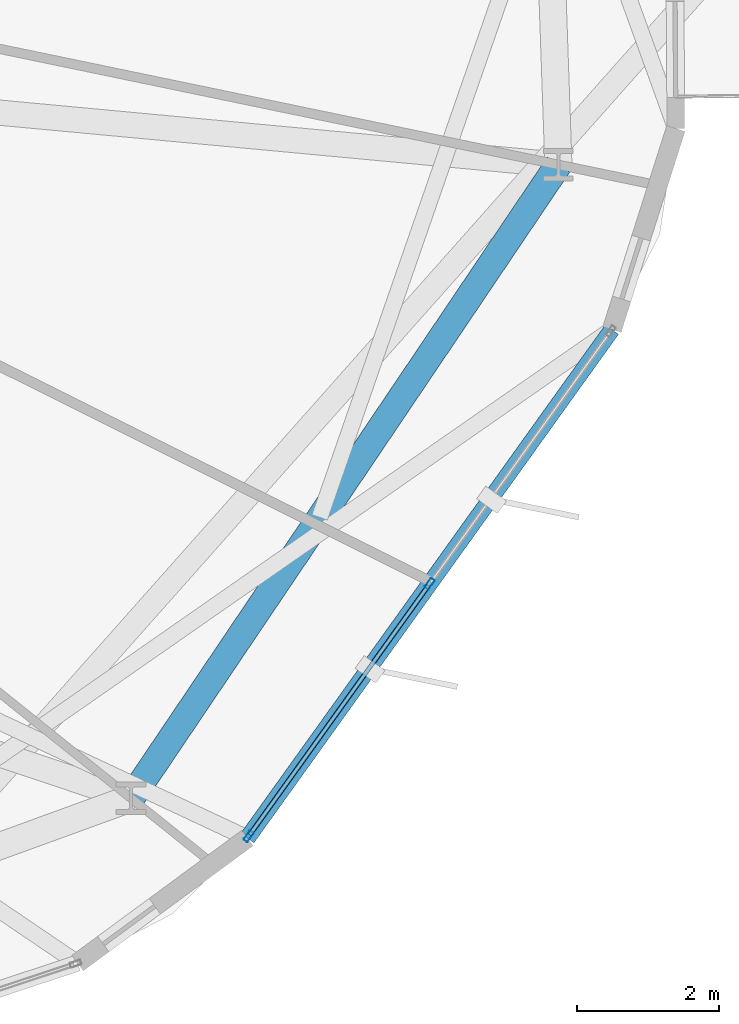
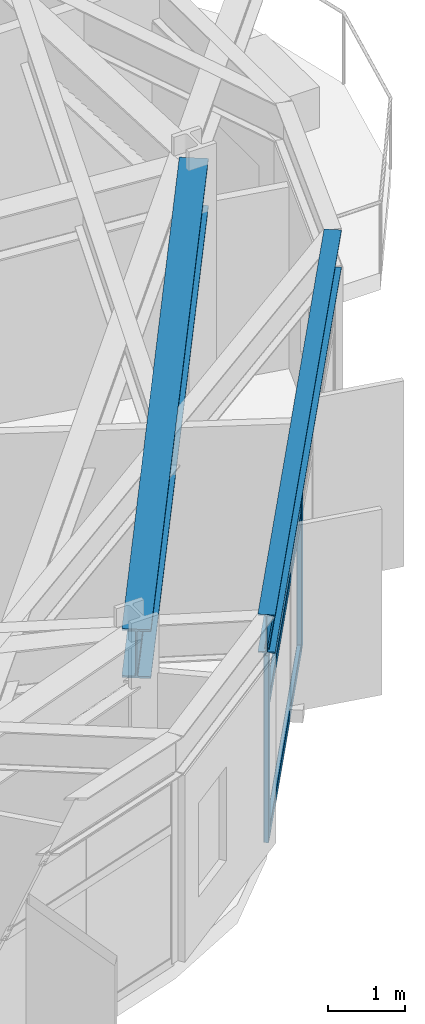
# One storey, part 12 of 27: 5 members, 2 beams, 1 element without a shape of its own.
"""IFC4 building model written with IfcOpenShell, lengths in metres."""

import ifcopenshell
import ifcopenshell.guid

model = None  # the IFC model being written
_history = None  # IfcOwnerHistory: only IFC2X3 demands one
_inside = {}  # id of a spatial element -> (the spatial element, [elements in it])
_under = {}  # id of a project, library or spatial element -> (it, [spatial elements below it])
_declared = {}  # id of a project -> (the project, [libraries it declares])
_typed = {}  # id of a type object -> (the type object, [elements of that type])
_made_of = {}  # id of a material, layer set ... -> (it, [elements and type objects made of it])


def new_model(schema):
    """Start an empty IFC model of exactly this schema.

    Asked for "IFC4X3", IfcOpenShell would pick the latest addendum, in which some entities
    have other attributes; the version numbers below select the first issue.
    IFC2X3 requires an IfcOwnerHistory on every rooted entity: one is made here for all.
    """
    global model, _history
    if schema == "IFC4X3":
        model = ifcopenshell.file(schema_version=(4, 3, 0, 0))
    else:
        model = ifcopenshell.file(schema=schema)
    _inside.clear()
    _under.clear()
    _declared.clear()
    _typed.clear()
    _made_of.clear()
    _history = None
    if model.schema == "IFC2X3":
        org = make("IfcOrganization", Name="unknown")
        user = make(
            "IfcPersonAndOrganization",
            ThePerson=make("IfcPerson", FamilyName="unknown"),
            TheOrganization=org,
        )
        app = make(
            "IfcApplication",
            ApplicationDeveloper=org,
            Version="unknown",
            ApplicationFullName="unknown",
            ApplicationIdentifier="unknown",
        )
        _history = make(
            "IfcOwnerHistory",
            OwningUser=user,
            OwningApplication=app,
            ChangeAction="ADDED",
            CreationDate=0,
        )
    return model


def make(cls, **values):
    """One entity of the class cls with the attributes given. An attribute that is None is left unset."""
    return model.create_entity(
        cls, **{name: value for name, value in values.items() if value is not None}
    )


def rooted(cls, **values):
    """An entity with a GlobalId (a new one), such as an element, a storey or a relation."""
    return make(cls, GlobalId=ifcopenshell.guid.new(), OwnerHistory=_history, **values)


def si_unit(unit_type, name, prefix=None):
    """IfcSIUnit, for example si_unit("LENGTHUNIT", "METRE", prefix="MILLI")."""
    return make("IfcSIUnit", UnitType=unit_type, Prefix=prefix, Name=name)


def assignment(units):
    """IfcUnitAssignment: the units of a project."""
    return None if units is None else make("IfcUnitAssignment", Units=units)


def point(xyz):
    """IfcCartesianPoint."""
    return None if xyz is None else make("IfcCartesianPoint", Coordinates=xyz)


def direction(xyz):
    """IfcDirection."""
    return None if xyz is None else make("IfcDirection", DirectionRatios=xyz)


def frame(location, z_axis=None, x_axis=None):
    """IfcAxis2Placement3D, a coordinate frame: its origin and axes. An axis left out is left unset."""
    return make(
        "IfcAxis2Placement3D",
        Location=point(location),
        Axis=direction(z_axis),
        RefDirection=direction(x_axis),
    )


def frame_2d(location, x_axis=None):
    """IfcAxis2Placement2D, a coordinate frame in the plane: its origin and x axis."""
    return make(
        "IfcAxis2Placement2D", Location=point(location), RefDirection=direction(x_axis)
    )


def origin():
    """The frame at (0, 0, 0) with its axes left unset."""
    return frame((0.0, 0.0, 0.0))


def origin_2d():
    """The frame at (0, 0) in the plane with its x axis left unset."""
    return frame_2d((0.0, 0.0))


def place(relative_to, where):
    """IfcLocalPlacement: puts the frame where relative to a parent placement (None: the world)."""
    return make(
        "IfcLocalPlacement", PlacementRelTo=relative_to, RelativePlacement=where
    )


def context(
    kind, dimensions, precision=None, world=None, true_north=None, identifier=None
):
    """IfcGeometricRepresentationContext, for example the 3D "Model" context."""
    return make(
        "IfcGeometricRepresentationContext",
        ContextIdentifier=identifier,
        ContextType=kind,
        CoordinateSpaceDimension=dimensions,
        Precision=precision,
        WorldCoordinateSystem=world,
        TrueNorth=true_north,
    )


def subcontext(parent, identifier, kind, view, scale=None):
    """IfcGeometricRepresentationSubContext, for example "Body" below "Model"."""
    return make(
        "IfcGeometricRepresentationSubContext",
        ContextIdentifier=identifier,
        ContextType=kind,
        ParentContext=parent,
        TargetScale=scale,
        TargetView=view,
    )


def project(units=None, contexts=None):
    """IfcProject with its units and contexts."""
    return rooted(
        "IfcProject",
        Name="project",
        RepresentationContexts=contexts,
        UnitsInContext=assignment(units),
    )


def spatial(cls, under=None, at=None, **own):
    """A site, building, storey or space (cls), placed at a placement, below another one or the project."""
    s = rooted(cls, ObjectPlacement=at, **own)
    if under is not None:
        _under.setdefault(under.id(), (under, []))[1].append(s)
    return s


def profile(cls, at=None, kind="AREA", **sizes):
    """A parametric profile (cls). Its sizes go by their IFC names, for example OverallWidth=200.0."""
    return make(cls, ProfileType=kind, Position=at, **sizes)


def hollow_rectangle(**sizes):
    """IfcRectangleHollowProfileDef."""
    return profile("IfcRectangleHollowProfileDef", **sizes)


def i_section(**sizes):
    """IfcIShapeProfileDef."""
    return profile("IfcIShapeProfileDef", **sizes)


def extrude(swept, where, along, depth):
    """IfcExtrudedAreaSolid: the profile swept, set in the frame where, extruded along a direction by depth."""
    return make(
        "IfcExtrudedAreaSolid",
        SweptArea=swept,
        Position=where,
        ExtrudedDirection=direction(along),
        Depth=depth,
    )


def shape(context_of_items, identifier, shape_type, items):
    """IfcShapeRepresentation: the items that make up one representation, for example the "Body"."""
    return make(
        "IfcShapeRepresentation",
        ContextOfItems=context_of_items,
        RepresentationIdentifier=identifier,
        RepresentationType=shape_type,
        Items=items,
    )


def material(Name=None, Category=None):
    """IfcMaterial."""
    return make("IfcMaterial", Name=Name, Category=Category)


def layer(
    of_material, thickness, ventilated=None, Name=None, Category=None, Priority=None
):
    """IfcMaterialLayer: one layer of a wall or slab, of a material (None: an air gap)."""
    return make(
        "IfcMaterialLayer",
        Material=of_material,
        LayerThickness=thickness,
        IsVentilated=ventilated,
        Name=Name,
        Category=Category,
        Priority=Priority,
    )


def layer_set(layers, Name=None):
    """IfcMaterialLayerSet."""
    return make("IfcMaterialLayerSet", MaterialLayers=layers, LayerSetName=Name)


def material_profile(
    of_material, cross_section, Name=None, Category=None, Priority=None
):
    """IfcMaterialProfile: a cross section and its material."""
    return make(
        "IfcMaterialProfile",
        Name=Name,
        Material=of_material,
        Profile=cross_section,
        Priority=Priority,
        Category=Category,
    )


def profile_set(profiles, Name=None, composite=None):
    """IfcMaterialProfileSet."""
    return make(
        "IfcMaterialProfileSet",
        Name=Name,
        MaterialProfiles=profiles,
        CompositeProfile=composite,
    )


def made_of(thing, what):
    """Note that an element or type object is made of a material, layer set ...; save() writes the relation."""
    if what is not None:
        _made_of.setdefault(what.id(), (what, []))[1].append(thing)
    return thing


def type_object(cls, material=None, **own):
    """A type object (cls), such as IfcWallType, which elements share."""
    return made_of(rooted(cls, **own), material)


def element(
    cls,
    number,
    at=None,
    inside=None,
    cuts=None,
    type_object=None,
    material=None,
    context=None,
    identifier="Body",
    shape_type=None,
    held_by="IfcProductDefinitionShape",
    body=None,
    shapes=None,
    **own,
):
    """One element of the class cls, such as IfcWall. Its Tag is "e" and its number.

    at: its placement. inside: the storey or other place that contains it. cuts: it is an
    opening in that element (IfcRelVoidsElement). A single representation is given by context,
    identifier, shape_type and body (its items); several are given by shapes. held_by: the class
    of the entity that holds the representations. save() writes the other relations.
    """
    e = rooted(cls, Tag="e%d" % number, ObjectPlacement=at, **own)
    if body is not None:
        shapes = [shape(context, identifier, shape_type, body)]
    if shapes is not None:
        e.Representation = make(held_by, Representations=shapes)
    if inside is not None:
        _inside.setdefault(inside.id(), (inside, []))[1].append(e)
    if cuts is not None:
        rooted(
            "IfcRelVoidsElement", RelatingBuildingElement=cuts, RelatedOpeningElement=e
        )
    if type_object is not None:
        _typed.setdefault(type_object.id(), (type_object, []))[1].append(e)
    return made_of(e, material)


def aggregate(whole, parts):
    """IfcRelAggregates: a whole, such as a stair, and the parts it consists of."""
    return rooted("IfcRelAggregates", RelatingObject=whole, RelatedObjects=parts)


def save(model, path):
    """Write the relations noted so far, then the file.

    IfcRelAggregates (storeys below a building ...), IfcRelContainedInSpatialStructure (elements
    in a storey), IfcRelDefinesByType, IfcRelAssociatesMaterial and IfcRelDeclares: one each for
    every whole, place, type object, material and project.
    """
    for whole, parts in _under.values():
        aggregate(whole, parts)
    for where, things in _inside.values():
        rooted(
            "IfcRelContainedInSpatialStructure",
            RelatedElements=things,
            RelatingStructure=where,
        )
    for kind, things in _typed.values():
        rooted("IfcRelDefinesByType", RelatedObjects=things, RelatingType=kind)
    for what, things in _made_of.values():
        rooted("IfcRelAssociatesMaterial", RelatedObjects=things, RelatingMaterial=what)
    for by, libraries in _declared.values():
        rooted("IfcRelDeclares", RelatingContext=by, RelatedDefinitions=libraries)
    model.write(path)


model = new_model("IFC4")

# Units and contexts
model_context = context("Model", 3, precision=1e-05, world=origin(), true_north=direction((0.0, 1.0)))
body_context = subcontext(model_context, "Body", "Model", "MODEL_VIEW")
ifc_project = project(units=[si_unit("LENGTHUNIT", "METRE"), si_unit("AREAUNIT", "SQUARE_METRE"), si_unit("VOLUMEUNIT", "CUBIC_METRE"), si_unit("PLANEANGLEUNIT", "RADIAN"), si_unit("MASSUNIT", "GRAM", prefix="KILO")], contexts=[model_context])

# Site, building, storey
site_placement = place(None, origin())
site = spatial("IfcSite", under=ifc_project, at=site_placement, CompositionType="ELEMENT")
building_placement = place(site_placement, origin())
building = spatial("IfcBuilding", under=site, at=building_placement, Name="Soratama Intermodal Tower", CompositionType="ELEMENT")
storey_placement = place(building_placement, frame((0.0, 0.0, 99.10009765625)))
storey = spatial("IfcBuildingStorey", under=building, at=storey_placement, Name="L23", CompositionType="ELEMENT", Elevation=99.10009765625)

# Beams
ifc_material_1 = material(Name="Structural steel ASTM A992 Grade 50", Category="steel")
ifc_material_profile_1 = material_profile(ifc_material_1, i_section(OverallWidth=0.382080078125, OverallDepth=0.779052734375, WebThickness=0.01806640625, FlangeThickness=0.030029296875, FilletRadius=0.01806640625, at=origin_2d()), Name="W30X191")
ifc_profile_set_1 = profile_set([ifc_material_profile_1], Name="Structural steel ASTM A992 Grade 50")
beam_type_1 = type_object("IfcBeamType", Name="BM-RING-W30X191", PredefinedType="BEAM", material=ifc_profile_set_1)
beam_1_placement = place(storey_placement, frame((55.7119140625, 11.2890625, 3.21044921875), z_axis=(0.559249807749, 0.828999187293, 0.0), x_axis=(-0.828999187293, 0.559249807749, 0.0)))
element("IfcBeam", 1, at=beam_1_placement, inside=storey, type_object=beam_type_1, Name="BM-L23-RING-09", PredefinedType="BEAM", context=body_context, shape_type="SweptSolid", body=[
    extrude(i_section(OverallWidth=0.382080078125, OverallDepth=0.779052734375, WebThickness=0.01806640625, FlangeThickness=0.030029296875, FilletRadius=0.01806640625, at=origin_2d()), origin(), (0.0, 0.0, 1.0), 10.75390625),
])
ifc_material_2 = material(Name="Structural steel ASTM A992 Grade 50", Category="steel")
ifc_material_profile_2 = material_profile(ifc_material_2, i_section(OverallWidth=0.22900390625, OverallDepth=0.612060546875, WebThickness=0.011962890625, FlangeThickness=0.01953125, FilletRadius=0.012939453125, at=origin_2d()), Name="W24X84")
ifc_profile_set_2 = profile_set([ifc_material_profile_2], Name="Structural steel ASTM A992 Grade 50")
beam_type_2 = type_object("IfcBeamType", Name="BM-SPN-W24X84", PredefinedType="SPANDREL", material=ifc_profile_set_2)
beam_2_placement = place(storey_placement, frame((57.34912109375, 10.72802734375, 3.2939453125), z_axis=(0.582645622786, 0.812726324323, 0.0), x_axis=(-0.812726324323, 0.582645622786, 0.0)))
element("IfcBeam", 2, at=beam_2_placement, inside=storey, type_object=beam_type_2, Name="BS-L23-F09", PredefinedType="SPANDREL", context=body_context, shape_type="SweptSolid", body=[
    extrude(i_section(OverallWidth=0.22900390625, OverallDepth=0.612060546875, WebThickness=0.011962890625, FlangeThickness=0.01953125, FilletRadius=0.012939453125, at=origin_2d()), origin(), (0.0, 0.0, 1.0), 8.80615234375),
])

# Curtain wall, members
ifc_material_3 = material(Name="Double-glazed aluminium curtain wall", Category="aluminium")
ifc_layer = layer(ifc_material_3, 0.159912109375)
ifc_layer_set = layer_set([ifc_layer], Name="Double-glazed aluminium curtain wall")
curtain_wall_type = type_object("IfcCurtainWallType", Name="CW-SYS-3", PredefinedType="NOTDEFINED", material=ifc_layer_set)
curtain_wall_placement = place(storey_placement, origin())
curtain_wall = element("IfcCurtainWall", 3, at=curtain_wall_placement, inside=storey, type_object=curtain_wall_type, Name="L23 Faceted Curtain Wall F09", PredefinedType="NOTDEFINED")
ifc_material_4 = material(Name="Anodised aluminium AA 6063-T6", Category="aluminium")
ifc_material_profile_3 = material_profile(ifc_material_4, hollow_rectangle(XDim=0.070068359375, YDim=0.159912109375, WallThickness=0.0048828125, InnerFilletRadius=0.0048828125, OuterFilletRadius=0.010009765625, at=origin_2d()), Name="CWM160X70X5")
ifc_profile_set_3 = profile_set([ifc_material_profile_3], Name="Anodised aluminium AA 6063-T6")
member_type_1 = type_object("IfcMemberType", Name="MT-CWM-3", PredefinedType="MULLION", material=ifc_profile_set_3)
member_1_placement = place(storey_placement, frame((57.3662109375, 10.75244140625, 0.0), z_axis=(0.0, 0.0, 1.0), x_axis=(-0.812696409232, 0.582687348774, 0.0)))
member_1 = element("IfcMember", 4, at=member_1_placement, type_object=member_type_1, Name="CW-3 mullion 1", PredefinedType="MULLION", context=body_context, shape_type="SweptSolid", body=[
    extrude(hollow_rectangle(XDim=0.070068359375, YDim=0.159912109375, WallThickness=0.0048828125, InnerFilletRadius=0.0048828125, OuterFilletRadius=0.010009765625, at=origin_2d()), origin(), (0.0, 0.0, 1.0), 2.97900390625),
])
member_2_placement = place(storey_placement, frame((59.91455078125, 14.306640625, 0.0), z_axis=(0.0, 0.0, 1.0), x_axis=(-0.812696409232, 0.582687348774, 0.0)))
member_2 = element("IfcMember", 5, at=member_2_placement, type_object=member_type_1, Name="CW-3 mullion 2", PredefinedType="MULLION", context=body_context, shape_type="SweptSolid", body=[
    extrude(hollow_rectangle(XDim=0.070068359375, YDim=0.159912109375, WallThickness=0.0048828125, InnerFilletRadius=0.0048828125, OuterFilletRadius=0.010009765625, at=origin_2d()), origin(), (0.0, 0.0, 1.0), 2.97900390625),
])
ifc_material_5 = material(Name="Anodised aluminium AA 6063-T6", Category="aluminium")
ifc_material_profile_4 = material_profile(ifc_material_5, hollow_rectangle(XDim=0.06494140625, YDim=0.14990234375, WallThickness=0.0048828125, InnerFilletRadius=0.0048828125, OuterFilletRadius=0.010009765625, at=origin_2d()), Name="CWT150X65X5")
ifc_profile_set_4 = profile_set([ifc_material_profile_4], Name="Anodised aluminium AA 6063-T6")
member_type_2 = type_object("IfcMemberType", Name="TT-CWT-1", PredefinedType="USERDEFINED", material=ifc_profile_set_4)
member_3_placement = place(storey_placement, frame((57.383544921875, 10.77685546875, 0.02978515625), z_axis=(0.582709639018, 0.812680427103, 0.0), x_axis=(-0.812680427103, 0.582709639018, 0.0)))
member_3 = element("IfcMember", 6, at=member_3_placement, type_object=member_type_2, Name="CW-3 transom 1.1", ObjectType="TRANSOM", PredefinedType="USERDEFINED", context=body_context, shape_type="SweptSolid", body=[
    extrude(hollow_rectangle(XDim=0.06494140625, YDim=0.14990234375, WallThickness=0.0048828125, InnerFilletRadius=0.0048828125, OuterFilletRadius=0.010009765625, at=origin_2d()), origin(), (0.0, 0.0, 1.0), 4.313232421875),
])
member_4_placement = place(storey_placement, frame((57.383544921875, 10.77685546875, 2.14990234375), z_axis=(0.582709639018, 0.812680427103, 0.0), x_axis=(-0.812680427103, 0.582709639018, 0.0)))
member_4 = element("IfcMember", 7, at=member_4_placement, type_object=member_type_2, Name="CW-3 transom 1.2", ObjectType="TRANSOM", PredefinedType="USERDEFINED", context=body_context, shape_type="SweptSolid", body=[
    extrude(hollow_rectangle(XDim=0.06494140625, YDim=0.14990234375, WallThickness=0.0048828125, InnerFilletRadius=0.0048828125, OuterFilletRadius=0.010009765625, at=origin_2d()), origin(), (0.0, 0.0, 1.0), 4.313232421875),
])
member_5_placement = place(storey_placement, frame((57.383544921875, 10.77685546875, 2.948974609375), z_axis=(0.582709639018, 0.812680427103, 0.0), x_axis=(-0.812680427103, 0.582709639018, 0.0)))
member_5 = element("IfcMember", 8, at=member_5_placement, type_object=member_type_2, Name="CW-3 transom 1.3", ObjectType="TRANSOM", PredefinedType="USERDEFINED", context=body_context, shape_type="SweptSolid", body=[
    extrude(hollow_rectangle(XDim=0.06494140625, YDim=0.14990234375, WallThickness=0.0048828125, InnerFilletRadius=0.0048828125, OuterFilletRadius=0.010009765625, at=origin_2d()), origin(), (0.0, 0.0, 1.0), 4.313232421875),
])
aggregate(curtain_wall, [member_1, member_2, member_3, member_4, member_5])

save(model, "model.ifc")
